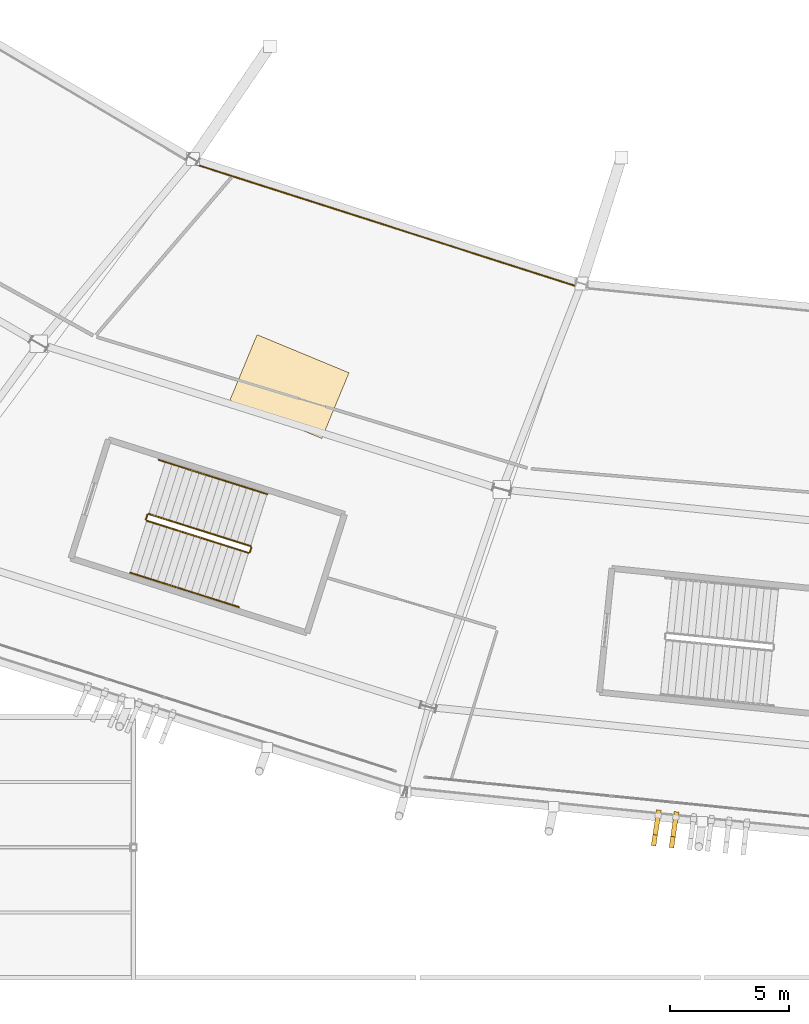
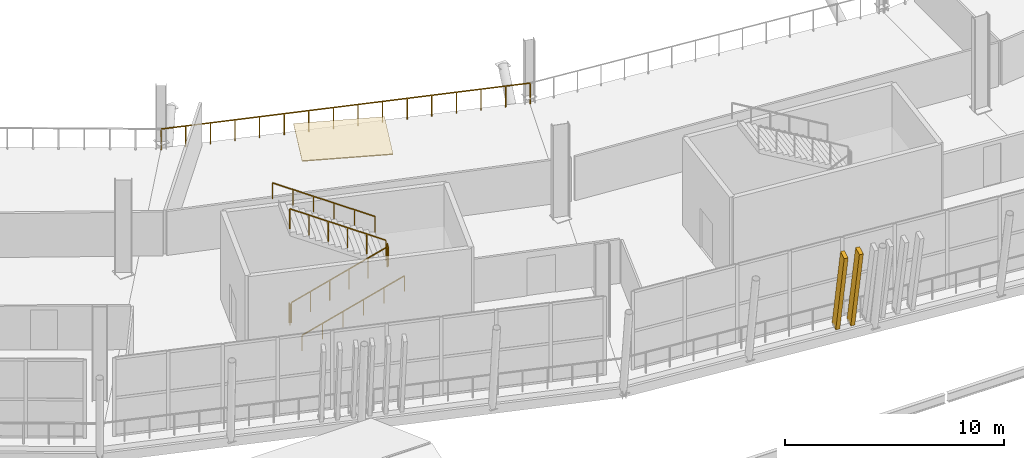
# One storey, part 142 of 168: 7 railings, 2 shading devices, 1 covering.
"""IFC4 building model written with IfcOpenShell, lengths in metres."""

from ifc_helpers import new_model, si_unit, direction, frame, origin, origin_2d, place, context, subcontext, project, spatial, polyline, rectangle, outline, extrude, material, layer, layer_set, material_profile, profile_set, type_object, element, save


model = new_model("IFC4")

# Units and contexts
model_context = context("Model", 3, precision=1e-05, world=origin(), true_north=direction((0.0, 1.0)))
body_context = subcontext(model_context, "Body", "Model", "MODEL_VIEW")
ifc_project = project(units=[si_unit("LENGTHUNIT", "METRE"), si_unit("AREAUNIT", "SQUARE_METRE"), si_unit("VOLUMEUNIT", "CUBIC_METRE"), si_unit("PLANEANGLEUNIT", "RADIAN"), si_unit("MASSUNIT", "GRAM", prefix="KILO")], contexts=[model_context])

# Site, building, storey
site_placement = place(None, origin())
site = spatial("IfcSite", under=ifc_project, at=site_placement, CompositionType="ELEMENT")
building_placement = place(site_placement, origin())
building = spatial("IfcBuilding", under=site, at=building_placement, Name="Zlatoyarsky Gate Stadium", CompositionType="ELEMENT")
storey_placement = place(building_placement, frame((0.0, 0.0, 15.60009765625)))
storey = spatial("IfcBuildingStorey", under=building, at=storey_placement, Name="L03", CompositionType="ELEMENT", Elevation=15.60009765625)

# Railings
ifc_material_1 = material(Name="Powder-coated steel tubular guardrail", Category="steel")
railing_type_1 = type_object("IfcRailingType", Name="CONCOURSE SLAB EDGE GUARDRAIL 1200", PredefinedType="GUARDRAIL", material=ifc_material_1)
railing_1_placement = place(storey_placement, frame((76.909912109375, 34.377685546875, 0.0)))
element("IfcRailing", 1, at=railing_1_placement, inside=storey, type_object=railing_type_1, Name="L03 inner bowl edge guardrail 16", PredefinedType="GUARDRAIL", context=body_context, shape_type="SweptSolid", body=[
    extrude(rectangle(XDim=0.048095703125, YDim=0.048095703125, at=origin_2d()), frame((0.0, 0.0, 1.17578125), z_axis=(0.952412982001, -0.304810616148, 0.0), x_axis=(0.304810616148, 0.952412982001, 0.0)), (0.0, 0.0, 1.0), 17.265380859375),
    extrude(rectangle(XDim=0.0419921875, YDim=0.0419921875, at=origin_2d()), origin(), (0.0, 0.0, 1.0), 1.15185546875),
    extrude(rectangle(XDim=0.0419921875, YDim=0.0419921875, at=origin_2d()), frame((1.09619140625, -0.350830078125, 0.0)), (0.0, 0.0, 1.0), 1.15185546875),
    extrude(rectangle(XDim=0.0419921875, YDim=0.0419921875, at=origin_2d()), frame((2.192626953125, -0.70166015625, 0.0)), (0.0, 0.0, 1.0), 1.15185546875),
    extrude(rectangle(XDim=0.0419921875, YDim=0.0419921875, at=origin_2d()), frame((3.288818359375, -1.052490234375, 0.0)), (0.0, 0.0, 1.0), 1.15185546875),
    extrude(rectangle(XDim=0.0419921875, YDim=0.0419921875, at=origin_2d()), frame((4.385009765625, -1.4033203125, 0.0)), (0.0, 0.0, 1.0), 1.15185546875),
    extrude(rectangle(XDim=0.0419921875, YDim=0.0419921875, at=origin_2d()), frame((5.481201171875, -1.754150390625, 0.0)), (0.0, 0.0, 1.0), 1.15185546875),
    extrude(rectangle(XDim=0.0419921875, YDim=0.0419921875, at=origin_2d()), frame((6.57763671875, -2.10498046875, 0.0)), (0.0, 0.0, 1.0), 1.15185546875),
    extrude(rectangle(XDim=0.0419921875, YDim=0.0419921875, at=origin_2d()), frame((7.673828125, -2.455810546875, 0.0)), (0.0, 0.0, 1.0), 1.15185546875),
    extrude(rectangle(XDim=0.0419921875, YDim=0.0419921875, at=origin_2d()), frame((8.77001953125, -2.806884765625, 0.0)), (0.0, 0.0, 1.0), 1.15185546875),
    extrude(rectangle(XDim=0.0419921875, YDim=0.0419921875, at=origin_2d()), frame((9.8662109375, -3.15771484375, 0.0)), (0.0, 0.0, 1.0), 1.15185546875),
    extrude(rectangle(XDim=0.0419921875, YDim=0.0419921875, at=origin_2d()), frame((10.962646484375, -3.508544921875, 0.0)), (0.0, 0.0, 1.0), 1.15185546875),
    extrude(rectangle(XDim=0.0419921875, YDim=0.0419921875, at=origin_2d()), frame((12.058837890625, -3.859375, 0.0)), (0.0, 0.0, 1.0), 1.15185546875),
    extrude(rectangle(XDim=0.0419921875, YDim=0.0419921875, at=origin_2d()), frame((13.155029296875, -4.210205078125, 0.0)), (0.0, 0.0, 1.0), 1.15185546875),
    extrude(rectangle(XDim=0.0419921875, YDim=0.0419921875, at=origin_2d()), frame((14.251220703125, -4.56103515625, 0.0)), (0.0, 0.0, 1.0), 1.15185546875),
    extrude(rectangle(XDim=0.0419921875, YDim=0.0419921875, at=origin_2d()), frame((15.34765625, -4.911865234375, 0.0)), (0.0, 0.0, 1.0), 1.15185546875),
    extrude(rectangle(XDim=0.0419921875, YDim=0.0419921875, at=origin_2d()), frame((16.44384765625, -5.2626953125, 0.0)), (0.0, 0.0, 1.0), 1.15185546875),
])
ifc_material_2 = material(Name="Powder-coated steel stair guardrail", Category="steel")
railing_type_2 = type_object("IfcRailingType", Name="PAINTED STEEL STAIR WELL GUARDRAIL 1150", PredefinedType="GUARDRAIL", material=ifc_material_2)
railing_2_placement = place(storey_placement, frame((75.05517578125, 19.2763671875, 0.162353515625)))
element("IfcRailing", 2, at=railing_2_placement, inside=storey, type_object=railing_type_2, Name="ST-09 L03 stair guard 1", PredefinedType="GUARDRAIL", context=body_context, shape_type="SweptSolid", body=[
    extrude(rectangle(XDim=0.048095703125, YDim=0.048095703125, at=origin_2d()), frame((0.0, 0.0, 1.1259765625), z_axis=(0.838373688644, -0.26509858813, 0.476290139264), x_axis=(0.301492268635, 0.953468621378, 0.0)), (0.0, 0.0, 1.0), 5.11767578125),
    extrude(rectangle(XDim=0.0419921875, YDim=0.0419921875, at=origin_2d()), origin(), (0.0, 0.0, 1.0), 1.101806640625),
    extrude(rectangle(XDim=0.0419921875, YDim=0.0419921875, at=origin_2d()), frame((0.858154296875, -0.271240234375, 0.487548828125)), (0.0, 0.0, 1.0), 1.101806640625),
    extrude(rectangle(XDim=0.0419921875, YDim=0.0419921875, at=origin_2d()), frame((1.71630859375, -0.542724609375, 0.97509765625)), (0.0, 0.0, 1.0), 1.101806640625),
    extrude(rectangle(XDim=0.0419921875, YDim=0.0419921875, at=origin_2d()), frame((2.57421875, -0.81396484375, 1.46240234375)), (0.0, 0.0, 1.0), 1.101806640625),
    extrude(rectangle(XDim=0.0419921875, YDim=0.0419921875, at=origin_2d()), frame((3.432373046875, -1.08544921875, 1.949951171875)), (0.0, 0.0, 1.0), 1.101806640625),
    extrude(rectangle(XDim=0.0419921875, YDim=0.0419921875, at=origin_2d()), frame((4.29052734375, -1.356689453125, 2.4375)), (0.0, 0.0, 1.0), 1.101806640625),
])
railing_3_placement = place(storey_placement, frame((79.408447265625, 17.9521484375, 2.599853515625)))
element("IfcRailing", 3, at=railing_3_placement, inside=storey, type_object=railing_type_2, Name="ST-09 L03 stair guard 2", PredefinedType="GUARDRAIL", context=body_context, shape_type="SweptSolid", body=[
    extrude(rectangle(XDim=0.048095703125, YDim=0.048095703125, at=origin_2d()), frame((0.0, 0.0, 1.1259765625), z_axis=(0.301540327315, 0.953453423615, 0.0), x_axis=(-0.953453423615, 0.301540327315, 0.0)), (0.0, 0.0, 1.0), 0.199951171875),
    extrude(rectangle(XDim=0.0419921875, YDim=0.0419921875, at=origin_2d()), origin(), (0.0, 0.0, 1.0), 1.101806640625),
    extrude(rectangle(XDim=0.0419921875, YDim=0.0419921875, at=origin_2d()), frame((0.060302734375, 0.190673828125, 0.0)), (0.0, 0.0, 1.0), 1.101806640625),
])
railing_4_placement = place(storey_placement, frame((79.436279296875, 18.20556640625, 2.762451171875)))
element("IfcRailing", 4, at=railing_4_placement, inside=storey, type_object=railing_type_2, Name="ST-09 L03 stair guard 3", PredefinedType="GUARDRAIL", context=body_context, shape_type="SweptSolid", body=[
    extrude(rectangle(XDim=0.048095703125, YDim=0.048095703125, at=origin_2d()), frame((0.0, 0.0, 1.1259765625), z_axis=(-0.838363085299, 0.26514294003, 0.476284115376), x_axis=(-0.301541590324, -0.953453024173, 0.0)), (0.0, 0.0, 1.0), 5.11767578125),
    extrude(rectangle(XDim=0.0419921875, YDim=0.0419921875, at=origin_2d()), origin(), (0.0, 0.0, 1.0), 1.101806640625),
    extrude(rectangle(XDim=0.0419921875, YDim=0.0419921875, at=origin_2d()), frame((-0.858154296875, 0.271484375, 0.487548828125)), (0.0, 0.0, 1.0), 1.101806640625),
    extrude(rectangle(XDim=0.0419921875, YDim=0.0419921875, at=origin_2d()), frame((-1.71630859375, 0.542724609375, 0.97509765625)), (0.0, 0.0, 1.0), 1.101806640625),
    extrude(rectangle(XDim=0.0419921875, YDim=0.0419921875, at=origin_2d()), frame((-2.57421875, 0.814208984375, 1.46240234375)), (0.0, 0.0, 1.0), 1.101806640625),
    extrude(rectangle(XDim=0.0419921875, YDim=0.0419921875, at=origin_2d()), frame((-3.432373046875, 1.08544921875, 1.949951171875)), (0.0, 0.0, 1.0), 1.101806640625),
    extrude(rectangle(XDim=0.0419921875, YDim=0.0419921875, at=origin_2d()), frame((-4.29052734375, 1.35693359375, 2.4375)), (0.0, 0.0, 1.0), 1.101806640625),
])
railing_5_placement = place(storey_placement, frame((75.022705078125, 19.339111328125, 0.0)))
element("IfcRailing", 5, at=railing_5_placement, inside=storey, type_object=railing_type_2, Name="ST-09 L03 stair guard 4", PredefinedType="GUARDRAIL", context=body_context, shape_type="SweptSolid", body=[
    extrude(rectangle(XDim=0.048095703125, YDim=0.048095703125, at=origin_2d()), frame((0.0, 0.0, 1.1259765625), z_axis=(0.301540327315, 0.953453423615, 0.0), x_axis=(-0.953453423615, 0.301540327315, 0.0)), (0.0, 0.0, 1.0), 0.199951171875),
    extrude(rectangle(XDim=0.0419921875, YDim=0.0419921875, at=origin_2d()), origin(), (0.0, 0.0, 1.0), 1.101806640625),
    extrude(rectangle(XDim=0.0419921875, YDim=0.0419921875, at=origin_2d()), frame((0.060302734375, 0.190673828125, 0.0)), (0.0, 0.0, 1.0), 1.101806640625),
])

# Covering
ifc_material_3 = material(Name="Perforated anodised aluminium acoustic ceiling", Category="aluminium")
ifc_layer = layer(ifc_material_3, 0.050048828125)
ifc_layer_set = layer_set([ifc_layer], Name="Perforated anodised aluminium acoustic ceiling")
covering_type = type_object("IfcCoveringType", Name="PERFORATED ACOUSTIC BAFFLE CEILING 50", PredefinedType="CEILING", material=ifc_layer_set)
covering_placement = place(storey_placement, frame((0.0, 0.0, 4.849853515625)))
element("IfcCovering", 6, at=covering_placement, inside=storey, type_object=covering_type, Name="L03 box gallery acoustic ceiling 06", PredefinedType="CEILING", context=body_context, shape_type="SweptSolid", body=[
    extrude(outline(polyline([(79.7080078125, 27.12646484375), (83.588134765625, 25.519287109375), (82.440185546875, 22.74755859375), (78.559814453125, 24.354736328125), (79.7080078125, 27.12646484375)])), origin(), (0.0, 0.0, 1.0), 0.050048828125),
])

# Shading devices
ifc_material_4 = material(Name="Precast concrete C40/50 stone-toned architectural rib", Category="masonry")
ifc_material_profile = material_profile(ifc_material_4, rectangle(XDim=0.199951171875, YDim=0.47998046875, at=origin_2d()), Name="RIB 200X480")
ifc_profile_set = profile_set([ifc_material_profile], Name="Precast concrete C40/50 stone-toned architectural rib")
shading_device_type = type_object("IfcShadingDeviceType", Name="PRECAST FLUTED GATE LOUVRE BLADE 200X480", PredefinedType="SHUTTER", material=ifc_profile_set)
for number, where, z_axis, x_axis, name in (
    (7, (96.630859375, 6.8388671875, -0.010009765625), (-0.033208487597, -0.219022748194, 0.975154465777), (0.98869997193, -0.149907856719, 0.0), "Leaning bowl louvre fin L03-17-1"),
    (8, (97.376953125, 6.762939453125, -0.010009765625), (-0.031471786902, -0.219229606489, 0.975165578898), (0.989852375307, -0.14209952533, 0.0), "Leaning bowl louvre fin L03-17-2"),
):
    element("IfcShadingDevice", number, at=place(storey_placement, frame(where, z_axis=z_axis, x_axis=x_axis)), inside=storey, type_object=shading_device_type, Name=name, PredefinedType="SHUTTER", context=body_context, shape_type="SweptSolid", body=[
        extrude(rectangle(XDim=0.199951171875, YDim=0.47998046875, at=origin_2d()), origin(), (0.0, 0.0, 1.0), 4.778564453125),
    ])

# Railings
ifc_material_5 = material(Name="Brushed stainless steel 316 handrail", Category="steel")
railing_type_3 = type_object("IfcRailingType", Name="STAINLESS STEEL TUBULAR HANDRAIL 900", PredefinedType="HANDRAIL", material=ifc_material_5)
railing_6_placement = place(storey_placement, frame((74.36181640625, 17.08349609375, 0.16650390625)))
element("IfcRailing", 9, at=railing_6_placement, inside=storey, type_object=railing_type_3, Name="ST-09 L03 stair handrail 1", PredefinedType="HANDRAIL", context=body_context, shape_type="SweptSolid", body=[
    extrude(rectangle(XDim=0.048095703125, YDim=0.048095703125, at=origin_2d()), frame((0.0, 0.0, 0.8759765625), z_axis=(0.838384417276, -0.265120176337, 0.476259237148), x_axis=(0.301511080938, 0.953462672616, 0.0)), (0.0, 0.0, 1.0), 5.458984375),
    extrude(rectangle(XDim=0.0419921875, YDim=0.0419921875, at=origin_2d()), origin(), (0.0, 0.0, 1.0), 0.851806640625),
    extrude(rectangle(XDim=0.0419921875, YDim=0.0419921875, at=origin_2d()), frame((0.915283203125, -0.28955078125, 0.52001953125)), (0.0, 0.0, 1.0), 0.851806640625),
    extrude(rectangle(XDim=0.0419921875, YDim=0.0419921875, at=origin_2d()), frame((1.83056640625, -0.578857421875, 1.0400390625)), (0.0, 0.0, 1.0), 0.851806640625),
    extrude(rectangle(XDim=0.0419921875, YDim=0.0419921875, at=origin_2d()), frame((2.74609375, -0.868408203125, 1.559814453125)), (0.0, 0.0, 1.0), 0.851806640625),
    extrude(rectangle(XDim=0.0419921875, YDim=0.0419921875, at=origin_2d()), frame((3.661376953125, -1.15771484375, 2.079833984375)), (0.0, 0.0, 1.0), 0.851806640625),
    extrude(rectangle(XDim=0.0419921875, YDim=0.0419921875, at=origin_2d()), frame((4.57666015625, -1.447265625, 2.599853515625)), (0.0, 0.0, 1.0), 0.851806640625),
])
railing_7_placement = place(storey_placement, frame((80.129638671875, 20.398681640625, 2.766357421875)))
element("IfcRailing", 10, at=railing_7_placement, inside=storey, type_object=railing_type_3, Name="ST-09 L03 stair handrail 2", PredefinedType="HANDRAIL", context=body_context, shape_type="SweptSolid", body=[
    extrude(rectangle(XDim=0.048095703125, YDim=0.048095703125, at=origin_2d()), frame((0.0, 0.0, 0.8759765625), z_axis=(-0.83835326985, 0.265124469654, 0.476311673721), x_axis=(-0.301525703453, -0.953458048452, 0.0)), (0.0, 0.0, 1.0), 5.458740234375),
    extrude(rectangle(XDim=0.0419921875, YDim=0.0419921875, at=origin_2d()), origin(), (0.0, 0.0, 1.0), 0.851806640625),
    extrude(rectangle(XDim=0.0419921875, YDim=0.0419921875, at=origin_2d()), frame((-0.915283203125, 0.28955078125, 0.52001953125)), (0.0, 0.0, 1.0), 0.851806640625),
    extrude(rectangle(XDim=0.0419921875, YDim=0.0419921875, at=origin_2d()), frame((-1.83056640625, 0.578857421875, 1.0400390625)), (0.0, 0.0, 1.0), 0.851806640625),
    extrude(rectangle(XDim=0.0419921875, YDim=0.0419921875, at=origin_2d()), frame((-2.745849609375, 0.868408203125, 1.56005859375)), (0.0, 0.0, 1.0), 0.851806640625),
    extrude(rectangle(XDim=0.0419921875, YDim=0.0419921875, at=origin_2d()), frame((-3.6611328125, 1.15771484375, 2.080078125)), (0.0, 0.0, 1.0), 0.851806640625),
    extrude(rectangle(XDim=0.0419921875, YDim=0.0419921875, at=origin_2d()), frame((-4.576416015625, 1.447265625, 2.60009765625)), (0.0, 0.0, 1.0), 0.851806640625),
])

save(model, "model.ifc")
